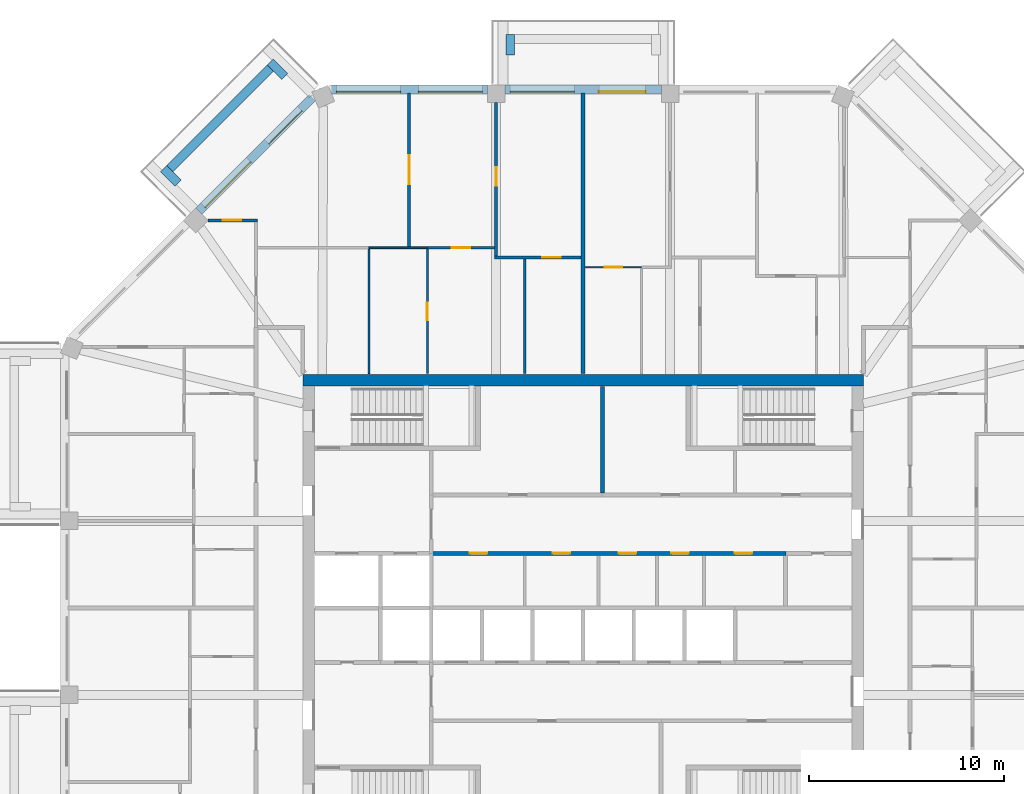
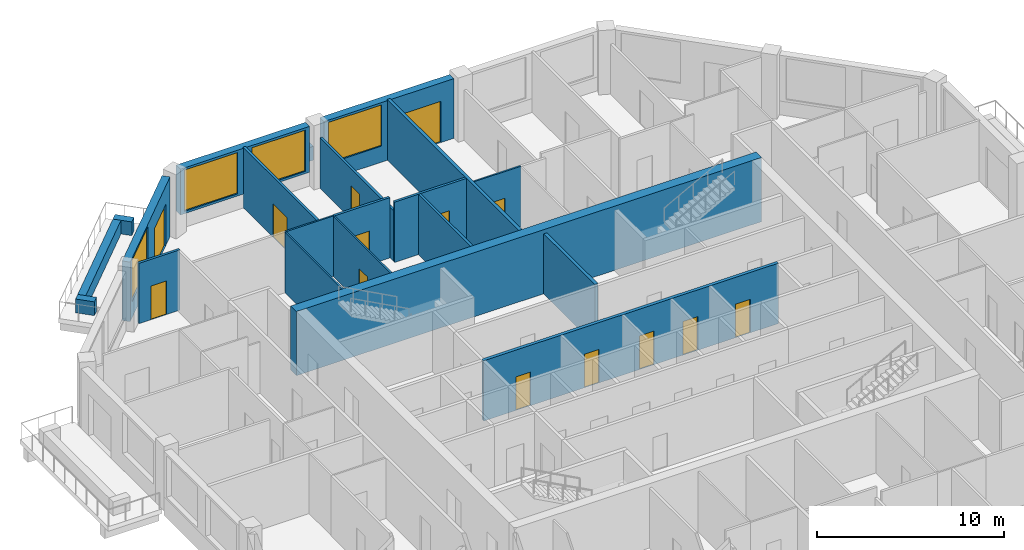
# One storey, part 8 of 12: 21 walls, 14 doors, 4 windows, 18 openings.
"""IFC4 building model written with IfcOpenShell, lengths in metres."""

from ifc_helpers import new_model, si_unit, direction, frame, frame_2d, origin, place, context, subcontext, project, spatial, rectangle, extrude, material, layer, layer_set, type_object, element, fill, save


model = new_model("IFC4")

# Units and contexts
model_context = context("Model", 3, precision=1e-05, world=origin(), true_north=direction((0.0, 1.0)))
body_context = subcontext(model_context, "Body", "Model", "MODEL_VIEW")
ifc_project = project(units=[si_unit("LENGTHUNIT", "METRE"), si_unit("AREAUNIT", "SQUARE_METRE"), si_unit("VOLUMEUNIT", "CUBIC_METRE"), si_unit("PLANEANGLEUNIT", "RADIAN"), si_unit("MASSUNIT", "GRAM", prefix="KILO")], contexts=[model_context])

# Site, building, storey
site_placement = place(None, origin())
site = spatial("IfcSite", under=ifc_project, at=site_placement, CompositionType="ELEMENT")
building_placement = place(site_placement, origin())
building = spatial("IfcBuilding", under=site, at=building_placement, Name="Msitu Wima Residences", CompositionType="ELEMENT")
storey_placement = place(building_placement, frame((0.0, 0.0, 276.89990234375)))
storey = spatial("IfcBuildingStorey", under=building, at=storey_placement, Name="L64", CompositionType="ELEMENT", Elevation=276.89990234375)

# Walls
ifc_material_1 = material(Name="Facing brick")
ifc_layer_1 = layer(ifc_material_1, 0.06494140625, Name="Facing brick")
ifc_material_2 = material(Name="Concrete C40/50", Category="concrete")
ifc_layer_2 = layer(ifc_material_2, 0.156005859375, Name="Concrete C40/50")
ifc_material_3 = material(Name="Waterproofing membrane")
ifc_layer_3 = layer(ifc_material_3, 0.00390625, Name="Waterproofing membrane")
ifc_material_4 = material(Name="Planting soil and planting")
ifc_layer_4 = layer(ifc_material_4, 0.22509765625, Name="Planting soil and planting")
ifc_layer_set_1 = layer_set([ifc_layer_1, ifc_layer_2, ifc_layer_3, ifc_layer_4], Name="Concrete C40/50")
wall_type_1 = type_object("IfcWallType", Name="Balcony planter PLANTER PL450", PredefinedType="USERDEFINED", material=ifc_layer_set_1)
wall_1_placement = place(storey_placement, frame((-3.74365234375, 28.39990234375, 0.0), z_axis=(0.0, 0.0, 1.0), x_axis=(0.0, 1.0, 0.0)))
element("IfcWall", 1, at=wall_1_placement, inside=storey, type_object=wall_type_1, Name="Balcony planter N1 L64", ObjectType="PLANTER", PredefinedType="USERDEFINED", context=body_context, shape_type="SweptSolid", body=[
    extrude(rectangle(XDim=1.050048828125, YDim=0.449951171875, at=frame_2d((0.52490234375, 0.0))), origin(), (0.0, 0.0, 1.0), 0.900146484375),
])
wall_2_placement = place(storey_placement, frame((-16.0751953125, 27.725830078125, 0.0), z_axis=(0.0, 0.0, 1.0), x_axis=(-0.707106781187, -0.707106781187, 0.0)))
element("IfcWall", 2, at=wall_2_placement, inside=storey, type_object=wall_type_1, Name="Balcony planter NW0 L64", ObjectType="PLANTER", PredefinedType="USERDEFINED", context=body_context, shape_type="SweptSolid", body=[
    extrude(rectangle(XDim=7.288330078125, YDim=0.449951171875, at=frame_2d((3.64404296875, 0.0))), origin(), (0.0, 0.0, 1.0), 0.900146484375),
])
for number, where, z_axis, x_axis, name in (
    (3, (-15.332763671875, 27.301513671875, 0.0), (0.0, 0.0, 1.0), (-0.707106781187, 0.707106781187, 0.0), "Balcony planter NW0 L64"),
    (4, (-20.804443359375, 21.829833984375, 0.0), (0.0, 0.0, 1.0), (-0.707106781187, 0.707106781187, 0.0), "Balcony planter NW0 L64"),
):
    element("IfcWall", number, at=place(storey_placement, frame(where, z_axis=z_axis, x_axis=x_axis)), inside=storey, type_object=wall_type_1, Name=name, ObjectType="PLANTER", PredefinedType="USERDEFINED", context=body_context, shape_type="SweptSolid", body=[
        extrude(rectangle(XDim=1.050048828125, YDim=0.449951171875, at=frame_2d((0.52490234375, 0.0))), origin(), (0.0, 0.0, 1.0), 0.900146484375),
    ])

# Wall, openings, door, window
ifc_material_5 = material(Name="Brick (red buff mix)", Category="masonry")
ifc_layer_5 = layer(ifc_material_5, 0.449951171875)
ifc_layer_set_2 = layer_set([ifc_layer_5], Name="Brick (red buff mix)")
wall_type_2 = type_object("IfcWallType", Name="Brick infill wall BW450", PredefinedType="SOLIDWALL", material=ifc_layer_set_2)
wall_3_placement = place(storey_placement, frame((4.0185546875, 26.625, 0.0), z_axis=(0.0, 0.0, 1.0), x_axis=(-1.0, 0.0, 0.0)))
wall_3 = element("IfcWall", 5, at=wall_3_placement, inside=storey, type_object=wall_type_2, Name="Brick infill wall L64 N1", PredefinedType="SOLIDWALL", context=body_context, shape_type="SweptSolid", body=[
    extrude(rectangle(XDim=8.037109375, YDim=0.449951171875, at=frame_2d((4.0185546875, 0.0))), origin(), (0.0, 0.0, 1.0), 3.900146484375),
])
opening_1_placement = place(wall_3_placement, frame((0.809326171875, 0.0, 0.0)))
opening_1 = element("IfcOpeningElement", 6, at=opening_1_placement, cuts=wall_3, Name="Opening D63-64.003", PredefinedType="OPENING", context=body_context, shape_type="SweptSolid", body=[
    extrude(rectangle(XDim=2.39990234375, YDim=2.699951171875, at=frame_2d((1.199951171875, 1.35009765625))), frame((0.0, 0.23486328125, 0.0), z_axis=(0.0, -1.0, 0.0), x_axis=(1.0, 0.0, 0.0)), (0.0, 0.0, 1.0), 0.469970703125),
])
opening_2_placement = place(wall_3_placement, frame((4.46875, 0.0, 1.050048828125)))
opening_2 = element("IfcOpeningElement", 7, at=opening_2_placement, cuts=wall_3, Name="Opening W63-64.007", PredefinedType="OPENING", context=body_context, shape_type="SweptSolid", body=[
    extrude(rectangle(XDim=3.300048828125, YDim=2.699951171875, at=frame_2d((1.64990234375, 1.35009765625))), frame((0.0, 0.23486328125, 0.0), z_axis=(0.0, -1.0, 0.0), x_axis=(1.0, 0.0, 0.0)), (0.0, 0.0, 1.0), 0.469970703125),
])
ifc_material_6 = material(Name="Anodised aluminium, bronze finish, clear low-emissivity double glazing", Category="aluminium")
door_type_1 = type_object("IfcDoorType", Name="Balcony door D2400x2700", OperationType="SLIDING_TO_LEFT", PredefinedType="DOOR", material=ifc_material_6)
door_1_placement = place(opening_1_placement, origin())
door_1 = element("IfcDoor", 8, at=door_1_placement, inside=storey, type_object=door_type_1, Name="Balcony door L64 N1", OperationType="SINGLE_SWING_LEFT", OverallHeight=2.699951171875, OverallWidth=2.39990234375, PredefinedType="DOOR", context=body_context, shape_type="SweptSolid", body=[
    extrude(rectangle(XDim=2.39990234375, YDim=2.699951171875, at=frame_2d((1.199951171875, 1.35009765625))), frame((0.0, 0.1298828125, 0.0), z_axis=(0.0, -1.0, 0.0), x_axis=(1.0, 0.0, 0.0)), (0.0, 0.0, 1.0), 0.050048828125),
])
fill(opening_1, door_1)
window_type = type_object("IfcWindowType", Name="Window W3300x2700", PartitioningType="DOUBLE_PANEL_VERTICAL", PredefinedType="WINDOW", material=ifc_material_6)
window_1_placement = place(opening_2_placement, origin())
window_1 = element("IfcWindow", 9, at=window_1_placement, inside=storey, type_object=window_type, Name="Window L64 N1.2", OverallHeight=2.699951171875, OverallWidth=3.300048828125, PartitioningType="SINGLE_PANEL", PredefinedType="WINDOW", context=body_context, shape_type="SweptSolid", body=[
    extrude(rectangle(XDim=3.300048828125, YDim=2.699951171875, at=frame_2d((1.64990234375, 1.35009765625))), frame((0.0, 0.135009765625, 0.0), z_axis=(0.0, -1.0, 0.0), x_axis=(1.0, 0.0, 0.0)), (0.0, 0.0, 1.0), 0.06005859375),
])
fill(opening_2, window_1)

# Wall, openings, windows
wall_4_placement = place(storey_placement, frame((-4.918701171875, 26.625, 0.900146484375), z_axis=(0.0, 0.0, 1.0), x_axis=(-1.0, 0.0, 0.0)))
wall_4 = element("IfcWall", 10, at=wall_4_placement, inside=storey, type_object=wall_type_2, Name="Brick infill wall L64 N2", PredefinedType="SOLIDWALL", context=body_context, shape_type="SweptSolid", body=[
    extrude(rectangle(XDim=8.0, YDim=0.449951171875, at=frame_2d((4.0, 0.0))), origin(), (0.0, 0.0, 1.0), 3.0),
])
opening_3_placement = place(wall_4_placement, frame((0.25, 0.0, 0.14990234375)))
opening_3 = element("IfcOpeningElement", 11, at=opening_3_placement, cuts=wall_4, Name="Opening W63-64.008", PredefinedType="OPENING", context=body_context, shape_type="SweptSolid", body=[
    extrude(rectangle(XDim=3.300048828125, YDim=2.699951171875, at=frame_2d((1.64990234375, 1.35009765625))), frame((0.0, 0.23486328125, 0.0), z_axis=(0.0, -1.0, 0.0), x_axis=(1.0, 0.0, 0.0)), (0.0, 0.0, 1.0), 0.469970703125),
])
opening_4_placement = place(wall_4_placement, frame((4.4501953125, 0.0, 0.14990234375)))
opening_4 = element("IfcOpeningElement", 12, at=opening_4_placement, cuts=wall_4, Name="Opening W63-64.009", PredefinedType="OPENING", context=body_context, shape_type="SweptSolid", body=[
    extrude(rectangle(XDim=3.300048828125, YDim=2.699951171875, at=frame_2d((1.64990234375, 1.35009765625))), frame((0.0, 0.23486328125, 0.0), z_axis=(0.0, -1.0, 0.0), x_axis=(1.0, 0.0, 0.0)), (0.0, 0.0, 1.0), 0.469970703125),
])
window_2_placement = place(opening_3_placement, origin())
window_2 = element("IfcWindow", 13, at=window_2_placement, inside=storey, type_object=window_type, Name="Window L64 N2.1", OverallHeight=2.699951171875, OverallWidth=3.300048828125, PartitioningType="SINGLE_PANEL", PredefinedType="WINDOW", context=body_context, shape_type="SweptSolid", body=[
    extrude(rectangle(XDim=3.300048828125, YDim=2.699951171875, at=frame_2d((1.64990234375, 1.35009765625))), frame((0.0, 0.135009765625, 0.0), z_axis=(0.0, -1.0, 0.0), x_axis=(1.0, 0.0, 0.0)), (0.0, 0.0, 1.0), 0.06005859375),
])
fill(opening_3, window_2)
window_3_placement = place(opening_4_placement, origin())
window_3 = element("IfcWindow", 14, at=window_3_placement, inside=storey, type_object=window_type, Name="Window L64 N2.2", OverallHeight=2.699951171875, OverallWidth=3.300048828125, PartitioningType="SINGLE_PANEL", PredefinedType="WINDOW", context=body_context, shape_type="SweptSolid", body=[
    extrude(rectangle(XDim=3.300048828125, YDim=2.699951171875, at=frame_2d((1.64990234375, 1.35009765625))), frame((0.0, 0.135009765625, 0.0), z_axis=(0.0, -1.0, 0.0), x_axis=(1.0, 0.0, 0.0)), (0.0, 0.0, 1.0), 0.06005859375),
])
fill(opening_4, window_3)

# Wall, openings, door, window
wall_5_placement = place(storey_placement, frame((-13.909423828125, 26.214599609375, 0.0), z_axis=(0.0, 0.0, 1.0), x_axis=(-0.707106781187, -0.707106781187, 0.0)))
wall_5 = element("IfcWall", 15, at=wall_5_placement, inside=storey, type_object=wall_type_2, Name="Brick infill wall L64 NW0", PredefinedType="SOLIDWALL", context=body_context, shape_type="SweptSolid", body=[
    extrude(rectangle(XDim=8.251220703125, YDim=0.449951171875, at=frame_2d((4.12548828125, 0.0))), origin(), (0.0, 0.0, 1.0), 3.900146484375),
])
opening_5_placement = place(wall_5_placement, frame((0.86279296875, 0.0, 0.0)))
opening_5 = element("IfcOpeningElement", 16, at=opening_5_placement, cuts=wall_5, Name="Opening D63-64.005", PredefinedType="OPENING", context=body_context, shape_type="SweptSolid", body=[
    extrude(rectangle(XDim=2.39990234375, YDim=2.699951171875, at=frame_2d((1.199951171875, 1.35009765625))), frame((0.0, 0.23486328125, 0.0), z_axis=(0.0, -1.0, 0.0), x_axis=(1.0, 0.0, 0.0)), (0.0, 0.0, 1.0), 0.469970703125),
])
opening_6_placement = place(wall_5_placement, frame((4.57568359375, 0.0, 1.050048828125)))
opening_6 = element("IfcOpeningElement", 17, at=opening_6_placement, cuts=wall_5, Name="Opening W63-64.013", PredefinedType="OPENING", context=body_context, shape_type="SweptSolid", body=[
    extrude(rectangle(XDim=3.300048828125, YDim=2.699951171875, at=frame_2d((1.64990234375, 1.35009765625))), frame((0.0, 0.23486328125, 0.0), z_axis=(0.0, -1.0, 0.0), x_axis=(1.0, 0.0, 0.0)), (0.0, 0.0, 1.0), 0.469970703125),
])
door_2_placement = place(opening_5_placement, origin())
door_2 = element("IfcDoor", 18, at=door_2_placement, inside=storey, type_object=door_type_1, Name="Balcony door L64 NW0", OperationType="SINGLE_SWING_LEFT", OverallHeight=2.699951171875, OverallWidth=2.39990234375, PredefinedType="DOOR", context=body_context, shape_type="SweptSolid", body=[
    extrude(rectangle(XDim=2.39990234375, YDim=2.699951171875, at=frame_2d((1.199951171875, 1.35009765625))), frame((0.0, 0.1298828125, 0.0), z_axis=(0.0, -1.0, 0.0), x_axis=(1.0, 0.0, 0.0)), (0.0, 0.0, 1.0), 0.050048828125),
])
fill(opening_5, door_2)
window_4_placement = place(opening_6_placement, origin())
window_4 = element("IfcWindow", 19, at=window_4_placement, inside=storey, type_object=window_type, Name="Window L64 NW0.2", OverallHeight=2.699951171875, OverallWidth=3.300048828125, PartitioningType="SINGLE_PANEL", PredefinedType="WINDOW", context=body_context, shape_type="SweptSolid", body=[
    extrude(rectangle(XDim=3.300048828125, YDim=2.699951171875, at=frame_2d((1.64990234375, 1.35009765625))), frame((0.0, 0.135009765625, 0.0), z_axis=(0.0, -1.0, 0.0), x_axis=(1.0, 0.0, 0.0)), (0.0, 0.0, 1.0), 0.06005859375),
])
fill(opening_6, window_4)

# Wall
ifc_material_7 = material(Name="Concrete C50/60", Category="concrete")
ifc_layer_6 = layer(ifc_material_7, 0.60009765625)
ifc_layer_set_3 = layer_set([ifc_layer_6], Name="Concrete C50/60")
wall_type_3 = type_object("IfcWallType", Name="Core wall CW600 C50/60", PredefinedType="SHEAR", material=ifc_layer_set_3)
wall_6_placement = place(storey_placement, frame((-14.39990234375, 11.699951171875, 0.0), z_axis=(0.0, 0.0, 1.0), x_axis=(1.0, 0.0, 0.0)))
element("IfcWall", 20, at=wall_6_placement, inside=storey, type_object=wall_type_3, Name="Core wall", PredefinedType="SHEAR", context=body_context, shape_type="SweptSolid", body=[
    extrude(rectangle(XDim=28.7998046875, YDim=0.60009765625, at=frame_2d((14.39990234375, 0.0))), origin(), (0.0, 0.0, 1.0), 4.2001953125),
])

# Wall, openings, doors
ifc_material_8 = material(Name="Plaster")
ifc_layer_7 = layer(ifc_material_8, 0.011962890625, Name="Plaster")
ifc_material_9 = material(Name="Concrete blockwork", Category="masonry")
ifc_layer_8 = layer(ifc_material_9, 0.176025390625, Name="Concrete blockwork")
ifc_layer_9 = layer(ifc_material_8, 0.011962890625, Name="Plaster")
ifc_layer_set_4 = layer_set([ifc_layer_7, ifc_layer_8, ifc_layer_9], Name="Concrete blockwork")
wall_type_4 = type_object("IfcWallType", Name="Corridor wall FW200", PredefinedType="PARTITIONING", material=ifc_layer_set_4)
wall_7_placement = place(storey_placement, frame((-7.820068359375, 2.800048828125, 0.0), z_axis=(0.0, 0.0, 1.0), x_axis=(1.0, 0.0, 0.0)))
wall_7 = element("IfcWall", 21, at=wall_7_placement, inside=storey, type_object=wall_type_4, Name="Corridor wall", PredefinedType="PARTITIONING", context=body_context, shape_type="SweptSolid", body=[
    extrude(rectangle(XDim=18.239990234375, YDim=0.199951171875, at=frame_2d((9.1201171875, 0.0))), origin(), (0.0, 0.0, 1.0), 3.9501953125),
])
opening_7_placement = place(wall_7_placement, frame((2.0, 0.0, 0.0)))
opening_7 = element("IfcOpeningElement", 22, at=opening_7_placement, cuts=wall_7, Name="Opening D63-64.079", PredefinedType="OPENING", context=body_context, shape_type="SweptSolid", body=[
    extrude(rectangle(XDim=0.89990234375, YDim=2.199951171875, at=frame_2d((0.449951171875, 1.10009765625))), frame((0.0, 0.10986328125, 0.0), z_axis=(0.0, -1.0, 0.0), x_axis=(1.0, 0.0, 0.0)), (0.0, 0.0, 1.0), 0.219970703125),
])
opening_8_placement = place(wall_7_placement, frame((6.25, 0.0, 0.0)))
opening_8 = element("IfcOpeningElement", 23, at=opening_8_placement, cuts=wall_7, Name="Opening D63-64.080", PredefinedType="OPENING", context=body_context, shape_type="SweptSolid", body=[
    extrude(rectangle(XDim=0.89990234375, YDim=2.199951171875, at=frame_2d((0.449951171875, 1.10009765625))), frame((0.0, 0.10986328125, 0.0), z_axis=(0.0, -1.0, 0.0), x_axis=(1.0, 0.0, 0.0)), (0.0, 0.0, 1.0), 0.219970703125),
])
opening_9_placement = place(wall_7_placement, frame((9.64990234375, 0.0, 0.0)))
opening_9 = element("IfcOpeningElement", 24, at=opening_9_placement, cuts=wall_7, Name="Opening D63-64.081", PredefinedType="OPENING", context=body_context, shape_type="SweptSolid", body=[
    extrude(rectangle(XDim=0.89990234375, YDim=2.199951171875, at=frame_2d((0.449951171875, 1.10009765625))), frame((0.0, 0.10986328125, 0.0), z_axis=(0.0, -1.0, 0.0), x_axis=(1.0, 0.0, 0.0)), (0.0, 0.0, 1.0), 0.219970703125),
])
opening_10_placement = place(wall_7_placement, frame((12.35009765625, 0.0, 0.0)))
opening_10 = element("IfcOpeningElement", 25, at=opening_10_placement, cuts=wall_7, Name="Opening D63-64.082", PredefinedType="OPENING", context=body_context, shape_type="SweptSolid", body=[
    extrude(rectangle(XDim=0.89990234375, YDim=2.199951171875, at=frame_2d((0.449951171875, 1.10009765625))), frame((0.0, 0.10986328125, 0.0), z_axis=(0.0, -1.0, 0.0), x_axis=(1.0, 0.0, 0.0)), (0.0, 0.0, 1.0), 0.219970703125),
])
opening_11_placement = place(wall_7_placement, frame((15.60009765625, 0.0, 0.0)))
opening_11 = element("IfcOpeningElement", 26, at=opening_11_placement, cuts=wall_7, Name="Opening D63-64.083", PredefinedType="OPENING", context=body_context, shape_type="SweptSolid", body=[
    extrude(rectangle(XDim=0.89990234375, YDim=2.199951171875, at=frame_2d((0.449951171875, 1.10009765625))), frame((0.0, 0.10986328125, 0.0), z_axis=(0.0, -1.0, 0.0), x_axis=(1.0, 0.0, 0.0)), (0.0, 0.0, 1.0), 0.219970703125),
])
ifc_material_10 = material(Name="Timber flush door", Category="wood")
door_type_2 = type_object("IfcDoorType", Name="Service door D05 900x2200", OperationType="SINGLE_SWING_LEFT", PredefinedType="DOOR", material=ifc_material_10)
door_3_placement = place(opening_7_placement, origin())
door_3 = element("IfcDoor", 27, at=door_3_placement, inside=storey, type_object=door_type_2, Name="Service door", OperationType="SINGLE_SWING_LEFT", OverallHeight=2.199951171875, OverallWidth=0.89990234375, PredefinedType="DOOR", context=body_context, shape_type="SweptSolid", body=[
    extrude(rectangle(XDim=0.89990234375, YDim=2.199951171875, at=frame_2d((0.449951171875, 1.10009765625))), frame((0.0, 0.02490234375, 0.0), z_axis=(0.0, -1.0, 0.0), x_axis=(1.0, 0.0, 0.0)), (0.0, 0.0, 1.0), 0.050048828125),
])
fill(opening_7, door_3)
door_4_placement = place(opening_8_placement, origin())
door_4 = element("IfcDoor", 28, at=door_4_placement, inside=storey, type_object=door_type_2, Name="Service door", OperationType="SINGLE_SWING_RIGHT", OverallHeight=2.199951171875, OverallWidth=0.89990234375, PredefinedType="DOOR", context=body_context, shape_type="SweptSolid", body=[
    extrude(rectangle(XDim=0.89990234375, YDim=2.199951171875, at=frame_2d((0.449951171875, 1.10009765625))), frame((0.0, 0.02490234375, 0.0), z_axis=(0.0, -1.0, 0.0), x_axis=(1.0, 0.0, 0.0)), (0.0, 0.0, 1.0), 0.050048828125),
])
fill(opening_8, door_4)
door_5_placement = place(opening_9_placement, origin())
door_5 = element("IfcDoor", 29, at=door_5_placement, inside=storey, type_object=door_type_2, Name="Service door", OperationType="SINGLE_SWING_RIGHT", OverallHeight=2.199951171875, OverallWidth=0.89990234375, PredefinedType="DOOR", context=body_context, shape_type="SweptSolid", body=[
    extrude(rectangle(XDim=0.89990234375, YDim=2.199951171875, at=frame_2d((0.449951171875, 1.10009765625))), frame((0.0, 0.02490234375, 0.0), z_axis=(0.0, -1.0, 0.0), x_axis=(1.0, 0.0, 0.0)), (0.0, 0.0, 1.0), 0.050048828125),
])
fill(opening_9, door_5)
door_6_placement = place(opening_10_placement, origin())
door_6 = element("IfcDoor", 30, at=door_6_placement, inside=storey, type_object=door_type_2, Name="Service door", OperationType="SINGLE_SWING_RIGHT", OverallHeight=2.199951171875, OverallWidth=0.89990234375, PredefinedType="DOOR", context=body_context, shape_type="SweptSolid", body=[
    extrude(rectangle(XDim=0.89990234375, YDim=2.199951171875, at=frame_2d((0.449951171875, 1.10009765625))), frame((0.0, 0.02490234375, 0.0), z_axis=(0.0, -1.0, 0.0), x_axis=(1.0, 0.0, 0.0)), (0.0, 0.0, 1.0), 0.050048828125),
])
fill(opening_10, door_6)
door_7_placement = place(opening_11_placement, origin())
door_7 = element("IfcDoor", 31, at=door_7_placement, inside=storey, type_object=door_type_2, Name="Service door", OperationType="SINGLE_SWING_RIGHT", OverallHeight=2.199951171875, OverallWidth=0.89990234375, PredefinedType="DOOR", context=body_context, shape_type="SweptSolid", body=[
    extrude(rectangle(XDim=0.89990234375, YDim=2.199951171875, at=frame_2d((0.449951171875, 1.10009765625))), frame((0.0, 0.02490234375, 0.0), z_axis=(0.0, -1.0, 0.0), x_axis=(1.0, 0.0, 0.0)), (0.0, 0.0, 1.0), 0.050048828125),
])
fill(opening_11, door_7)

# Wall, opening, door
ifc_layer_10 = layer(ifc_material_8, 0.011962890625, Name="Plaster")
ifc_layer_11 = layer(ifc_material_9, 0.1259765625, Name="Concrete blockwork")
ifc_layer_12 = layer(ifc_material_8, 0.011962890625, Name="Plaster")
ifc_layer_set_5 = layer_set([ifc_layer_10, ifc_layer_11, ifc_layer_12], Name="Concrete blockwork")
wall_type_5 = type_object("IfcWallType", Name="Partition PW150", PredefinedType="PARTITIONING", material=ifc_layer_set_5)
wall_8_placement = place(storey_placement, frame((-19.2666015625, 19.90283203125, 0.0), z_axis=(0.0, 0.0, 1.0), x_axis=(1.0, 0.0, 0.0)))
wall_8 = element("IfcWall", 32, at=wall_8_placement, inside=storey, type_object=wall_type_5, Name="Partition", PredefinedType="PARTITIONING", context=body_context, shape_type="SweptSolid", body=[
    extrude(rectangle(XDim=2.54150390625, YDim=0.14990234375, at=frame_2d((1.270751953125, 0.0))), origin(), (0.0, 0.0, 1.0), 3.9501953125),
])
opening_12_placement = place(wall_8_placement, frame((0.75, 0.0, 0.0)))
opening_12 = element("IfcOpeningElement", 33, at=opening_12_placement, cuts=wall_8, Name="Opening D63-64.037", PredefinedType="OPENING", context=body_context, shape_type="SweptSolid", body=[
    extrude(rectangle(XDim=0.949951171875, YDim=2.199951171875, at=frame_2d((0.47509765625, 1.10009765625))), frame((0.0, 0.0849609375, 0.0), z_axis=(0.0, -1.0, 0.0), x_axis=(1.0, 0.0, 0.0)), (0.0, 0.0, 1.0), 0.169921875),
])
door_type_3 = type_object("IfcDoorType", Name="Room door D12 950x2200", OperationType="SINGLE_SWING_LEFT", PredefinedType="DOOR", material=ifc_material_10)
door_8_placement = place(opening_12_placement, origin())
door_8 = element("IfcDoor", 34, at=door_8_placement, inside=storey, type_object=door_type_3, Name="Room door", OperationType="SINGLE_SWING_LEFT", OverallHeight=2.199951171875, OverallWidth=0.949951171875, PredefinedType="DOOR", context=body_context, shape_type="SweptSolid", body=[
    extrude(rectangle(XDim=0.949951171875, YDim=2.199951171875, at=frame_2d((0.47509765625, 1.10009765625))), frame((0.0, 0.02490234375, 0.0), z_axis=(0.0, -1.0, 0.0), x_axis=(1.0, 0.0, 0.0)), (0.0, 0.0, 1.0), 0.050048828125),
])
fill(opening_12, door_8)

wall_9_placement = place(storey_placement, frame((-8.937255859375, 18.550048828125, 0.0), z_axis=(0.0, 0.0, 1.0), x_axis=(0.0, 1.0, 0.0)))
wall_9 = element("IfcWall", 35, at=wall_9_placement, inside=storey, type_object=wall_type_5, Name="Partition", PredefinedType="PARTITIONING", context=body_context, shape_type="SweptSolid", body=[
    extrude(rectangle(XDim=7.905029296875, YDim=0.14990234375, at=frame_2d((3.95263671875, 0.0))), origin(), (0.0, 0.0, 1.0), 3.9501953125),
])
opening_13_placement = place(wall_9_placement, frame((3.199951171875, 0.0, 0.0)))
opening_13 = element("IfcOpeningElement", 36, at=opening_13_placement, cuts=wall_9, Name="Opening D63-64.038", PredefinedType="OPENING", context=body_context, shape_type="SweptSolid", body=[
    extrude(rectangle(XDim=1.5, YDim=2.199951171875, at=frame_2d((0.75, 1.10009765625))), frame((0.0, 0.0849609375, 0.0), z_axis=(0.0, -1.0, 0.0), x_axis=(1.0, 0.0, 0.0)), (0.0, 0.0, 1.0), 0.169921875),
])
ifc_material_11 = material(Name="Timber double door", Category="wood")
door_type_4 = type_object("IfcDoorType", Name="Double door D04 1500x2200", OperationType="DOUBLE_DOOR_SINGLE_SWING", PredefinedType="DOOR", material=ifc_material_11)
door_9_placement = place(opening_13_placement, origin())
door_9 = element("IfcDoor", 37, at=door_9_placement, inside=storey, type_object=door_type_4, Name="Double door", OperationType="DOUBLE_DOOR_SINGLE_SWING", OverallHeight=2.199951171875, OverallWidth=1.5, PredefinedType="DOOR", context=body_context, shape_type="SweptSolid", body=[
    extrude(rectangle(XDim=1.5, YDim=2.199951171875, at=frame_2d((0.75, 1.10009765625))), frame((0.0, 0.02490234375, 0.0), z_axis=(0.0, -1.0, 0.0), x_axis=(1.0, 0.0, 0.0)), (0.0, 0.0, 1.0), 0.050048828125),
])
fill(opening_13, door_9)

wall_10_placement = place(storey_placement, frame((-8.0, 18.5, 0.0), z_axis=(0.0, 0.0, 1.0), x_axis=(1.0, 0.0, 0.0)))
wall_10 = element("IfcWall", 38, at=wall_10_placement, inside=storey, type_object=wall_type_5, Name="Partition", PredefinedType="PARTITIONING", context=body_context, shape_type="SweptSolid", body=[
    extrude(rectangle(XDim=3.456298828125, YDim=0.14990234375, at=frame_2d((1.72802734375, 0.0))), origin(), (0.0, 0.0, 1.0), 3.9501953125),
])
opening_14_placement = place(wall_10_placement, frame((1.25, 0.0, 0.0)))
opening_14 = element("IfcOpeningElement", 39, at=opening_14_placement, cuts=wall_10, Name="Opening D63-64.027", PredefinedType="OPENING", context=body_context, shape_type="SweptSolid", body=[
    extrude(rectangle(XDim=0.949951171875, YDim=2.199951171875, at=frame_2d((0.47509765625, 1.10009765625))), frame((0.0, 0.0849609375, 0.0), z_axis=(0.0, -1.0, 0.0), x_axis=(1.0, 0.0, 0.0)), (0.0, 0.0, 1.0), 0.169921875),
])
door_10_placement = place(opening_14_placement, origin())
door_10 = element("IfcDoor", 40, at=door_10_placement, inside=storey, type_object=door_type_3, Name="Room door", OperationType="SINGLE_SWING_RIGHT", OverallHeight=2.199951171875, OverallWidth=0.949951171875, PredefinedType="DOOR", context=body_context, shape_type="SweptSolid", body=[
    extrude(rectangle(XDim=0.949951171875, YDim=2.199951171875, at=frame_2d((0.47509765625, 1.10009765625))), frame((0.0, 0.02490234375, 0.0), z_axis=(0.0, -1.0, 0.0), x_axis=(1.0, 0.0, 0.0)), (0.0, 0.0, 1.0), 0.050048828125),
])
fill(opening_14, door_10)

wall_11_placement = place(storey_placement, frame((-4.46875, 18.074951171875, 0.0), z_axis=(0.0, 0.0, 1.0), x_axis=(0.0, 1.0, 0.0)))
wall_11 = element("IfcWall", 41, at=wall_11_placement, inside=storey, type_object=wall_type_5, Name="Partition", PredefinedType="PARTITIONING", context=body_context, shape_type="SweptSolid", body=[
    extrude(rectangle(XDim=7.875, YDim=0.14990234375, at=frame_2d((3.9375, 0.0))), origin(), (0.0, 0.0, 1.0), 3.300048828125),
])
opening_15_placement = place(wall_11_placement, frame((3.60009765625, 0.0, 0.0)))
opening_15 = element("IfcOpeningElement", 42, at=opening_15_placement, cuts=wall_11, Name="Opening D63-64.029", PredefinedType="OPENING", context=body_context, shape_type="SweptSolid", body=[
    extrude(rectangle(XDim=0.949951171875, YDim=2.199951171875, at=frame_2d((0.47509765625, 1.10009765625))), frame((0.0, 0.0849609375, 0.0), z_axis=(0.0, -1.0, 0.0), x_axis=(1.0, 0.0, 0.0)), (0.0, 0.0, 1.0), 0.169921875),
])
door_11_placement = place(opening_15_placement, origin())
door_11 = element("IfcDoor", 43, at=door_11_placement, inside=storey, type_object=door_type_3, Name="Room door", OperationType="SINGLE_SWING_LEFT", OverallHeight=2.199951171875, OverallWidth=0.949951171875, PredefinedType="DOOR", context=body_context, shape_type="SweptSolid", body=[
    extrude(rectangle(XDim=0.949951171875, YDim=2.199951171875, at=frame_2d((0.47509765625, 1.10009765625))), frame((0.0, 0.02490234375, 0.0), z_axis=(0.0, -1.0, 0.0), x_axis=(1.0, 0.0, 0.0)), (0.0, 0.0, 1.0), 0.050048828125),
])
fill(opening_15, door_11)

wall_12_placement = place(storey_placement, frame((-4.543701171875, 18.0, 0.0), z_axis=(0.0, 0.0, 1.0), x_axis=(1.0, 0.0, 0.0)))
wall_12 = element("IfcWall", 44, at=wall_12_placement, inside=storey, type_object=wall_type_5, Name="Partition", PredefinedType="PARTITIONING", context=body_context, shape_type="SweptSolid", body=[
    extrude(rectangle(XDim=4.443603515625, YDim=0.14990234375, at=frame_2d((2.2216796875, 0.0))), origin(), (0.0, 0.0, 1.0), 3.9501953125),
])
opening_16_placement = place(wall_12_placement, frame((2.449951171875, 0.0, 0.0)))
opening_16 = element("IfcOpeningElement", 45, at=opening_16_placement, cuts=wall_12, Name="Opening D63-64.030", PredefinedType="OPENING", context=body_context, shape_type="SweptSolid", body=[
    extrude(rectangle(XDim=0.949951171875, YDim=2.199951171875, at=frame_2d((0.47509765625, 1.10009765625))), frame((0.0, 0.0849609375, 0.0), z_axis=(0.0, -1.0, 0.0), x_axis=(1.0, 0.0, 0.0)), (0.0, 0.0, 1.0), 0.169921875),
])
door_12_placement = place(opening_16_placement, origin())
door_12 = element("IfcDoor", 46, at=door_12_placement, inside=storey, type_object=door_type_3, Name="Room door", OperationType="SINGLE_SWING_RIGHT", OverallHeight=2.199951171875, OverallWidth=0.949951171875, PredefinedType="DOOR", context=body_context, shape_type="SweptSolid", body=[
    extrude(rectangle(XDim=0.949951171875, YDim=2.199951171875, at=frame_2d((0.47509765625, 1.10009765625))), frame((0.0, 0.02490234375, 0.0), z_axis=(0.0, -1.0, 0.0), x_axis=(1.0, 0.0, 0.0)), (0.0, 0.0, 1.0), 0.050048828125),
])
fill(opening_16, door_12)

# Walls
wall_13_placement = place(storey_placement, frame((-3.0, 12.030029296875, 0.0), z_axis=(0.0, 0.0, 1.0), x_axis=(0.0, 1.0, 0.0)))
element("IfcWall", 47, at=wall_13_placement, inside=storey, type_object=wall_type_5, Name="Partition", PredefinedType="PARTITIONING", context=body_context, shape_type="SweptSolid", body=[
    extrude(rectangle(XDim=5.89501953125, YDim=0.14990234375, at=frame_2d((2.947509765625, 0.0))), origin(), (0.0, 0.0, 1.0), 3.9501953125),
])
ifc_layer_13 = layer(ifc_material_8, 0.011962890625, Name="Plaster")
ifc_material_12 = material(Name="Dense concrete blockwork", Category="masonry")
ifc_layer_14 = layer(ifc_material_12, 0.176025390625, Name="Dense concrete blockwork")
ifc_layer_15 = layer(ifc_material_8, 0.011962890625, Name="Plaster")
ifc_layer_set_6 = layer_set([ifc_layer_13, ifc_layer_14, ifc_layer_15], Name="Dense concrete blockwork")
wall_type_6 = type_object("IfcWallType", Name="Party wall PW200", PredefinedType="PARTITIONING", material=ifc_layer_set_6)
wall_14_placement = place(storey_placement, frame((0.0, 12.030029296875, 0.0), z_axis=(0.0, 0.0, 1.0), x_axis=(0.0, 1.0, 0.0)))
element("IfcWall", 48, at=wall_14_placement, inside=storey, type_object=wall_type_6, Name="Party wall", PredefinedType="PARTITIONING", context=body_context, shape_type="SweptSolid", body=[
    extrude(rectangle(XDim=14.425048828125, YDim=0.199951171875, at=frame_2d((7.21240234375, 0.0))), origin(), (0.0, 0.0, 1.0), 3.9501953125),
])
ifc_layer_16 = layer(ifc_material_8, 0.011962890625, Name="Plaster")
ifc_material_13 = material(Name="Reinforced concrete blockwork", Category="masonry")
ifc_layer_17 = layer(ifc_material_13, 0.176025390625, Name="Reinforced concrete blockwork")
ifc_layer_18 = layer(ifc_material_8, 0.011962890625, Name="Plaster")
ifc_layer_set_7 = layer_set([ifc_layer_16, ifc_layer_17, ifc_layer_18], Name="Reinforced concrete blockwork")
wall_type_7 = type_object("IfcWallType", Name="Plant and riser wall PL200", PredefinedType="PARTITIONING", material=ifc_layer_set_7)
wall_15_placement = place(storey_placement, frame((1.0, 5.89990234375, 0.0), z_axis=(0.0, 0.0, 1.0), x_axis=(0.0, 1.0, 0.0)))
element("IfcWall", 49, at=wall_15_placement, inside=storey, type_object=wall_type_7, Name="Plant and riser wall", PredefinedType="PARTITIONING", context=body_context, shape_type="SweptSolid", body=[
    extrude(rectangle(XDim=5.47021484375, YDim=0.199951171875, at=frame_2d((2.735107421875, 0.0))), origin(), (0.0, 0.0, 1.0), 3.9501953125),
])
ifc_material_14 = material(Name="Ceramic tiles")
ifc_layer_19 = layer(ifc_material_14, 0.008056640625, Name="Ceramic tiles")
ifc_material_15 = material(Name="Moisture-resistant board")
ifc_layer_20 = layer(ifc_material_15, 0.012451171875, Name="Moisture-resistant board")
ifc_material_16 = material(Name="Light-gauge stud framing with mineral wool")
ifc_layer_21 = layer(ifc_material_16, 0.06689453125, Name="Light-gauge stud framing with mineral wool")
ifc_layer_22 = layer(ifc_material_15, 0.012451171875, Name="Moisture-resistant board")
ifc_layer_set_8 = layer_set([ifc_layer_19, ifc_layer_20, ifc_layer_21, ifc_layer_22], Name="Light-gauge stud framing with mineral wool")
wall_type_8 = type_object("IfcWallType", Name="Wet wall PW100", PredefinedType="PARTITIONING", material=ifc_layer_set_8)
wall_16_placement = place(storey_placement, frame((-11.0, 12.030029296875, 0.0), z_axis=(0.0, 0.0, 1.0), x_axis=(0.0, 1.0, 0.0)))
element("IfcWall", 50, at=wall_16_placement, inside=storey, type_object=wall_type_8, Name="Wet wall", PredefinedType="PARTITIONING", context=body_context, shape_type="SweptSolid", body=[
    extrude(rectangle(XDim=6.39501953125, YDim=0.10009765625, at=frame_2d((3.197509765625, 0.0))), origin(), (0.0, 0.0, 1.0), 3.9501953125),
])
wall_17_placement = place(storey_placement, frame((-11.0, 18.5, 0.0), z_axis=(0.0, 0.0, 1.0), x_axis=(1.0, 0.0, 0.0)))
element("IfcWall", 51, at=wall_17_placement, inside=storey, type_object=wall_type_8, Name="Wet wall", PredefinedType="PARTITIONING", context=body_context, shape_type="SweptSolid", body=[
    extrude(rectangle(XDim=3.0, YDim=0.10009765625, at=frame_2d((1.5, 0.0))), origin(), (0.0, 0.0, 1.0), 3.9501953125),
])

# Wall, opening, door
wall_18_placement = place(storey_placement, frame((-8.0, 12.030029296875, 0.0), z_axis=(0.0, 0.0, 1.0), x_axis=(0.0, 1.0, 0.0)))
wall_18 = element("IfcWall", 52, at=wall_18_placement, inside=storey, type_object=wall_type_8, Name="Wet wall", PredefinedType="PARTITIONING", context=body_context, shape_type="SweptSolid", body=[
    extrude(rectangle(XDim=6.39501953125, YDim=0.10009765625, at=frame_2d((3.197509765625, 0.0))), origin(), (0.0, 0.0, 1.0), 3.9501953125),
])
opening_17_placement = place(wall_18_placement, frame((2.75, 0.0, 0.0)))
opening_17 = element("IfcOpeningElement", 53, at=opening_17_placement, cuts=wall_18, Name="Opening D63-64.028", PredefinedType="OPENING", context=body_context, shape_type="SweptSolid", body=[
    extrude(rectangle(XDim=0.89990234375, YDim=2.199951171875, at=frame_2d((0.449951171875, 1.10009765625))), frame((0.0, 0.06005859375, 0.0), z_axis=(0.0, -1.0, 0.0), x_axis=(1.0, 0.0, 0.0)), (0.0, 0.0, 1.0), 0.1201171875),
])
door_13_placement = place(opening_17_placement, origin())
door_13 = element("IfcDoor", 54, at=door_13_placement, inside=storey, type_object=door_type_2, Name="Service door", OperationType="SINGLE_SWING_LEFT", OverallHeight=2.199951171875, OverallWidth=0.89990234375, PredefinedType="DOOR", context=body_context, shape_type="SweptSolid", body=[
    extrude(rectangle(XDim=0.89990234375, YDim=2.199951171875, at=frame_2d((0.449951171875, 1.10009765625))), frame((0.0, 0.02490234375, 0.0), z_axis=(0.0, -1.0, 0.0), x_axis=(1.0, 0.0, 0.0)), (0.0, 0.0, 1.0), 0.050048828125),
])
fill(opening_17, door_13)

wall_19_placement = place(storey_placement, frame((0.10009765625, 17.5, 0.0), z_axis=(0.0, 0.0, 1.0), x_axis=(1.0, 0.0, 0.0)))
wall_19 = element("IfcWall", 55, at=wall_19_placement, inside=storey, type_object=wall_type_8, Name="Wet wall", PredefinedType="PARTITIONING", context=body_context, shape_type="SweptSolid", body=[
    extrude(rectangle(XDim=2.89990234375, YDim=0.10009765625, at=frame_2d((1.449951171875, 0.0))), origin(), (0.0, 0.0, 1.0), 3.9501953125),
])
opening_18_placement = place(wall_19_placement, frame((1.0, 0.0, 0.0)))
opening_18 = element("IfcOpeningElement", 56, at=opening_18_placement, cuts=wall_19, Name="Opening D63-64.016", PredefinedType="OPENING", context=body_context, shape_type="SweptSolid", body=[
    extrude(rectangle(XDim=0.89990234375, YDim=2.199951171875, at=frame_2d((0.449951171875, 1.10009765625))), frame((0.0, 0.06005859375, 0.0), z_axis=(0.0, -1.0, 0.0), x_axis=(1.0, 0.0, 0.0)), (0.0, 0.0, 1.0), 0.1201171875),
])
ifc_material_17 = material(Name="Timber flush door, moisture resistant", Category="wood")
door_type_5 = type_object("IfcDoorType", Name="Bathroom door D03 900x2200", OperationType="SINGLE_SWING_LEFT", PredefinedType="DOOR", material=ifc_material_17)
door_14_placement = place(opening_18_placement, origin())
door_14 = element("IfcDoor", 57, at=door_14_placement, inside=storey, type_object=door_type_5, Name="Bathroom door", OperationType="SINGLE_SWING_LEFT", OverallHeight=2.199951171875, OverallWidth=0.89990234375, PredefinedType="DOOR", context=body_context, shape_type="SweptSolid", body=[
    extrude(rectangle(XDim=0.89990234375, YDim=2.199951171875, at=frame_2d((0.449951171875, 1.10009765625))), frame((0.0, 0.02490234375, 0.0), z_axis=(0.0, -1.0, 0.0), x_axis=(1.0, 0.0, 0.0)), (0.0, 0.0, 1.0), 0.050048828125),
])
fill(opening_18, door_14)

save(model, "model.ifc")
